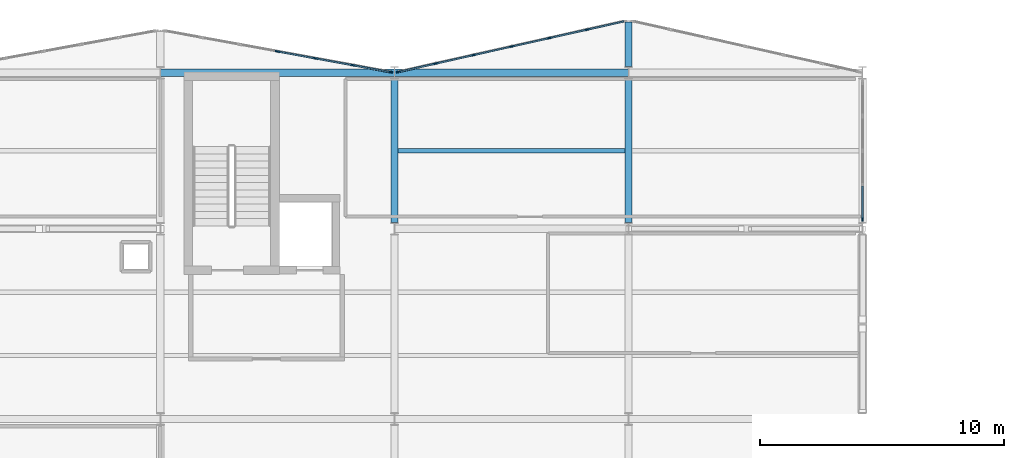
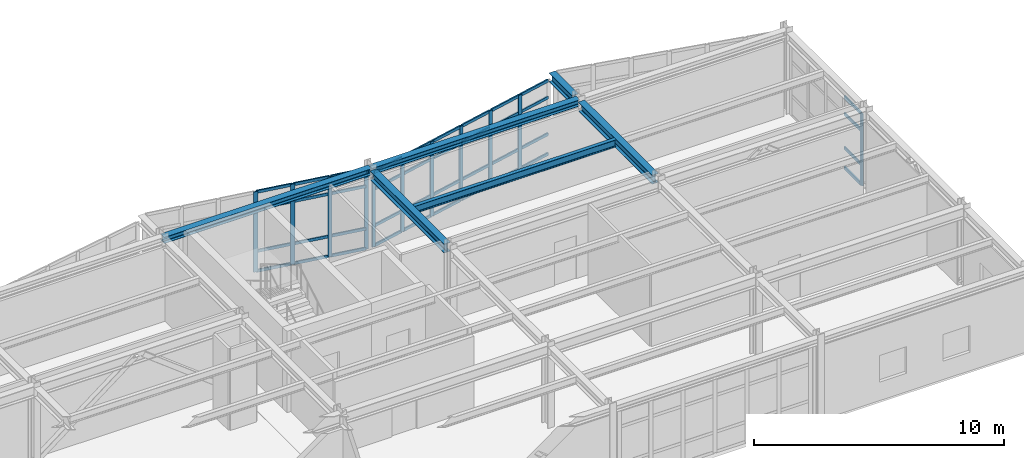
# One storey, part 44 of 88: 51 members, 6 beams, 3 elements without a shape of their own.
"""IFC4 building model written with IfcOpenShell, lengths in metres."""

import ifcopenshell
import ifcopenshell.guid

model = None  # the IFC model being written
_history = None  # IfcOwnerHistory: only IFC2X3 demands one
_inside = {}  # id of a spatial element -> (the spatial element, [elements in it])
_under = {}  # id of a project, library or spatial element -> (it, [spatial elements below it])
_declared = {}  # id of a project -> (the project, [libraries it declares])
_typed = {}  # id of a type object -> (the type object, [elements of that type])
_made_of = {}  # id of a material, layer set ... -> (it, [elements and type objects made of it])


def new_model(schema):
    """Start an empty IFC model of exactly this schema.

    Asked for "IFC4X3", IfcOpenShell would pick the latest addendum, in which some entities
    have other attributes; the version numbers below select the first issue.
    IFC2X3 requires an IfcOwnerHistory on every rooted entity: one is made here for all.
    """
    global model, _history
    if schema == "IFC4X3":
        model = ifcopenshell.file(schema_version=(4, 3, 0, 0))
    else:
        model = ifcopenshell.file(schema=schema)
    _inside.clear()
    _under.clear()
    _declared.clear()
    _typed.clear()
    _made_of.clear()
    _history = None
    if model.schema == "IFC2X3":
        org = make("IfcOrganization", Name="unknown")
        user = make(
            "IfcPersonAndOrganization",
            ThePerson=make("IfcPerson", FamilyName="unknown"),
            TheOrganization=org,
        )
        app = make(
            "IfcApplication",
            ApplicationDeveloper=org,
            Version="unknown",
            ApplicationFullName="unknown",
            ApplicationIdentifier="unknown",
        )
        _history = make(
            "IfcOwnerHistory",
            OwningUser=user,
            OwningApplication=app,
            ChangeAction="ADDED",
            CreationDate=0,
        )
    return model


def make(cls, **values):
    """One entity of the class cls with the attributes given. An attribute that is None is left unset."""
    return model.create_entity(
        cls, **{name: value for name, value in values.items() if value is not None}
    )


def rooted(cls, **values):
    """An entity with a GlobalId (a new one), such as an element, a storey or a relation."""
    return make(cls, GlobalId=ifcopenshell.guid.new(), OwnerHistory=_history, **values)


def si_unit(unit_type, name, prefix=None):
    """IfcSIUnit, for example si_unit("LENGTHUNIT", "METRE", prefix="MILLI")."""
    return make("IfcSIUnit", UnitType=unit_type, Prefix=prefix, Name=name)


def assignment(units):
    """IfcUnitAssignment: the units of a project."""
    return None if units is None else make("IfcUnitAssignment", Units=units)


def point(xyz):
    """IfcCartesianPoint."""
    return None if xyz is None else make("IfcCartesianPoint", Coordinates=xyz)


def direction(xyz):
    """IfcDirection."""
    return None if xyz is None else make("IfcDirection", DirectionRatios=xyz)


def frame(location, z_axis=None, x_axis=None):
    """IfcAxis2Placement3D, a coordinate frame: its origin and axes. An axis left out is left unset."""
    return make(
        "IfcAxis2Placement3D",
        Location=point(location),
        Axis=direction(z_axis),
        RefDirection=direction(x_axis),
    )


def frame_2d(location, x_axis=None):
    """IfcAxis2Placement2D, a coordinate frame in the plane: its origin and x axis."""
    return make(
        "IfcAxis2Placement2D", Location=point(location), RefDirection=direction(x_axis)
    )


def origin():
    """The frame at (0, 0, 0) with its axes left unset."""
    return frame((0.0, 0.0, 0.0))


def origin_2d():
    """The frame at (0, 0) in the plane with its x axis left unset."""
    return frame_2d((0.0, 0.0))


def place(relative_to, where):
    """IfcLocalPlacement: puts the frame where relative to a parent placement (None: the world)."""
    return make(
        "IfcLocalPlacement", PlacementRelTo=relative_to, RelativePlacement=where
    )


def context(
    kind, dimensions, precision=None, world=None, true_north=None, identifier=None
):
    """IfcGeometricRepresentationContext, for example the 3D "Model" context."""
    return make(
        "IfcGeometricRepresentationContext",
        ContextIdentifier=identifier,
        ContextType=kind,
        CoordinateSpaceDimension=dimensions,
        Precision=precision,
        WorldCoordinateSystem=world,
        TrueNorth=true_north,
    )


def subcontext(parent, identifier, kind, view, scale=None):
    """IfcGeometricRepresentationSubContext, for example "Body" below "Model"."""
    return make(
        "IfcGeometricRepresentationSubContext",
        ContextIdentifier=identifier,
        ContextType=kind,
        ParentContext=parent,
        TargetScale=scale,
        TargetView=view,
    )


def project(units=None, contexts=None):
    """IfcProject with its units and contexts."""
    return rooted(
        "IfcProject",
        Name="project",
        RepresentationContexts=contexts,
        UnitsInContext=assignment(units),
    )


def spatial(cls, under=None, at=None, **own):
    """A site, building, storey or space (cls), placed at a placement, below another one or the project."""
    s = rooted(cls, ObjectPlacement=at, **own)
    if under is not None:
        _under.setdefault(under.id(), (under, []))[1].append(s)
    return s


def profile(cls, at=None, kind="AREA", **sizes):
    """A parametric profile (cls). Its sizes go by their IFC names, for example OverallWidth=200.0."""
    return make(cls, ProfileType=kind, Position=at, **sizes)


def rectangle(**sizes):
    """IfcRectangleProfileDef."""
    return profile("IfcRectangleProfileDef", **sizes)


def i_section(**sizes):
    """IfcIShapeProfileDef."""
    return profile("IfcIShapeProfileDef", **sizes)


def extrude(swept, where, along, depth):
    """IfcExtrudedAreaSolid: the profile swept, set in the frame where, extruded along a direction by depth."""
    return make(
        "IfcExtrudedAreaSolid",
        SweptArea=swept,
        Position=where,
        ExtrudedDirection=direction(along),
        Depth=depth,
    )


def shape(context_of_items, identifier, shape_type, items):
    """IfcShapeRepresentation: the items that make up one representation, for example the "Body"."""
    return make(
        "IfcShapeRepresentation",
        ContextOfItems=context_of_items,
        RepresentationIdentifier=identifier,
        RepresentationType=shape_type,
        Items=items,
    )


def material(Name=None, Category=None):
    """IfcMaterial."""
    return make("IfcMaterial", Name=Name, Category=Category)


def layer(
    of_material, thickness, ventilated=None, Name=None, Category=None, Priority=None
):
    """IfcMaterialLayer: one layer of a wall or slab, of a material (None: an air gap)."""
    return make(
        "IfcMaterialLayer",
        Material=of_material,
        LayerThickness=thickness,
        IsVentilated=ventilated,
        Name=Name,
        Category=Category,
        Priority=Priority,
    )


def layer_set(layers, Name=None):
    """IfcMaterialLayerSet."""
    return make("IfcMaterialLayerSet", MaterialLayers=layers, LayerSetName=Name)


def material_profile(
    of_material, cross_section, Name=None, Category=None, Priority=None
):
    """IfcMaterialProfile: a cross section and its material."""
    return make(
        "IfcMaterialProfile",
        Name=Name,
        Material=of_material,
        Profile=cross_section,
        Priority=Priority,
        Category=Category,
    )


def profile_set(profiles, Name=None, composite=None):
    """IfcMaterialProfileSet."""
    return make(
        "IfcMaterialProfileSet",
        Name=Name,
        MaterialProfiles=profiles,
        CompositeProfile=composite,
    )


def made_of(thing, what):
    """Note that an element or type object is made of a material, layer set ...; save() writes the relation."""
    if what is not None:
        _made_of.setdefault(what.id(), (what, []))[1].append(thing)
    return thing


def type_object(cls, material=None, **own):
    """A type object (cls), such as IfcWallType, which elements share."""
    return made_of(rooted(cls, **own), material)


def element(
    cls,
    number,
    at=None,
    inside=None,
    cuts=None,
    type_object=None,
    material=None,
    context=None,
    identifier="Body",
    shape_type=None,
    held_by="IfcProductDefinitionShape",
    body=None,
    shapes=None,
    **own,
):
    """One element of the class cls, such as IfcWall. Its Tag is "e" and its number.

    at: its placement. inside: the storey or other place that contains it. cuts: it is an
    opening in that element (IfcRelVoidsElement). A single representation is given by context,
    identifier, shape_type and body (its items); several are given by shapes. held_by: the class
    of the entity that holds the representations. save() writes the other relations.
    """
    e = rooted(cls, Tag="e%d" % number, ObjectPlacement=at, **own)
    if body is not None:
        shapes = [shape(context, identifier, shape_type, body)]
    if shapes is not None:
        e.Representation = make(held_by, Representations=shapes)
    if inside is not None:
        _inside.setdefault(inside.id(), (inside, []))[1].append(e)
    if cuts is not None:
        rooted(
            "IfcRelVoidsElement", RelatingBuildingElement=cuts, RelatedOpeningElement=e
        )
    if type_object is not None:
        _typed.setdefault(type_object.id(), (type_object, []))[1].append(e)
    return made_of(e, material)


def aggregate(whole, parts):
    """IfcRelAggregates: a whole, such as a stair, and the parts it consists of."""
    return rooted("IfcRelAggregates", RelatingObject=whole, RelatedObjects=parts)


def save(model, path):
    """Write the relations noted so far, then the file.

    IfcRelAggregates (storeys below a building ...), IfcRelContainedInSpatialStructure (elements
    in a storey), IfcRelDefinesByType, IfcRelAssociatesMaterial and IfcRelDeclares: one each for
    every whole, place, type object, material and project.
    """
    for whole, parts in _under.values():
        aggregate(whole, parts)
    for where, things in _inside.values():
        rooted(
            "IfcRelContainedInSpatialStructure",
            RelatedElements=things,
            RelatingStructure=where,
        )
    for kind, things in _typed.values():
        rooted("IfcRelDefinesByType", RelatedObjects=things, RelatingType=kind)
    for what, things in _made_of.values():
        rooted("IfcRelAssociatesMaterial", RelatedObjects=things, RelatingMaterial=what)
    for by, libraries in _declared.values():
        rooted("IfcRelDeclares", RelatingContext=by, RelatedDefinitions=libraries)
    model.write(path)


model = new_model("IFC4")

# Units and contexts
model_context = context("Model", 3, precision=1e-05, world=origin(), true_north=direction((0.0, 1.0)))
body_context = subcontext(model_context, "Body", "Model", "MODEL_VIEW")
ifc_project = project(units=[si_unit("LENGTHUNIT", "METRE"), si_unit("AREAUNIT", "SQUARE_METRE"), si_unit("VOLUMEUNIT", "CUBIC_METRE"), si_unit("PLANEANGLEUNIT", "RADIAN"), si_unit("MASSUNIT", "GRAM", prefix="KILO")], contexts=[model_context])

# Site, building, storey
site_placement = place(None, origin())
site = spatial("IfcSite", under=ifc_project, at=site_placement, CompositionType="ELEMENT")
building_placement = place(site_placement, origin())
building = spatial("IfcBuilding", under=site, at=building_placement, Name="Nordkorset Police Headquarters", CompositionType="ELEMENT")
storey_placement = place(building_placement, frame((0.0, 0.0, 9.449951171875)))
storey = spatial("IfcBuildingStorey", under=building, at=storey_placement, Name="L02", CompositionType="ELEMENT", Elevation=9.449951171875)

# Beam
ifc_material_1 = material(Name="Steel S355J2", Category="steel")
ifc_material_profile_1 = material_profile(ifc_material_1, i_section(OverallWidth=0.169921875, OverallDepth=0.360107421875, WebThickness=0.008056640625, FlangeThickness=0.0126953125, FilletRadius=0.01806640625, at=origin_2d()), Name="IPE 360")
ifc_profile_set_1 = profile_set([ifc_material_profile_1], Name="Steel S355J2")
beam_type_1 = type_object("IfcBeamType", Name="Beam_IPE_360", PredefinedType="BEAM", material=ifc_profile_set_1)
beam_1_placement = place(storey_placement, frame((67.35009765625, 113.60009765625, 3.7900390625), z_axis=(1.0, 0.0, 0.0), x_axis=(0.0, 1.0, 0.0)))
element("IfcBeam", 1, at=beam_1_placement, inside=storey, type_object=beam_type_1, Name="Composite Floor Beam V2 L02 4-2-1", PredefinedType="BEAM", context=body_context, shape_type="SweptSolid", body=[
    extrude(i_section(OverallWidth=0.169921875, OverallDepth=0.360107421875, WebThickness=0.008056640625, FlangeThickness=0.0126953125, FilletRadius=0.01806640625, at=origin_2d()), origin(), (0.0, 0.0, 1.0), 9.2998046875),
])

# Curtain wall, members
ifc_material_2 = material(Name="Aluminium alloy AW-6060", Category="aluminium")
ifc_layer_1 = layer(ifc_material_2, 0.179931640625, Name="Aluminium alloy AW-6060")
ifc_layer_set_1 = layer_set([ifc_layer_1], Name="Aluminium alloy AW-6060")
curtain_wall_type_1 = type_object("IfcCurtainWallType", Name="CW_Unit_948x392", PredefinedType="USERDEFINED", material=ifc_layer_set_1)
curtain_wall_1_placement = place(storey_placement, origin())
curtain_wall_1 = element("IfcCurtainWall", 2, at=curtain_wall_1_placement, inside=storey, type_object=curtain_wall_type_1, Name="Unitised Curtain Wall L02 V2N-3", ObjectType="UNITISED CURTAIN WALL", PredefinedType="USERDEFINED")
ifc_material_3 = material(Name="Aluminium alloy AW-6060", Category="aluminium")
ifc_material_profile_2 = material_profile(ifc_material_3, rectangle(XDim=0.06494140625, YDim=0.179931640625, at=origin_2d()), Name="ALU MULL 65x180")
ifc_profile_set_2 = profile_set([ifc_material_profile_2], Name="Aluminium alloy AW-6060")
member_type_1 = type_object("IfcMemberType", Name="CW_Mullion_65x180", PredefinedType="MULLION", material=ifc_profile_set_2)
member_1_placement = place(storey_placement, frame((62.39990234375, 117.675048828125, 0.0), z_axis=(0.0, 0.0, 1.0), x_axis=(0.179335715876, 0.983787934979, 0.0)))
member_1 = element("IfcMember", 3, at=member_1_placement, type_object=member_type_1, Name="CW-65 mullion 4", PredefinedType="MULLION", context=body_context, shape_type="SweptSolid", body=[
    extrude(rectangle(XDim=0.06494140625, YDim=0.179931640625, at=origin_2d()), origin(), (0.0, 0.0, 1.0), 3.920166015625),
])
member_2_placement = place(storey_placement, frame((63.9541015625, 117.3916015625, 0.0), z_axis=(0.0, 0.0, 1.0), x_axis=(0.179335715876, 0.983787934979, 0.0)))
member_2 = element("IfcMember", 4, at=member_2_placement, type_object=member_type_1, Name="CW-65 mullion 5", PredefinedType="MULLION", context=body_context, shape_type="SweptSolid", body=[
    extrude(rectangle(XDim=0.06494140625, YDim=0.179931640625, at=origin_2d()), origin(), (0.0, 0.0, 1.0), 3.920166015625),
])
member_3_placement = place(storey_placement, frame((65.50830078125, 117.1083984375, 0.0), z_axis=(0.0, 0.0, 1.0), x_axis=(0.179335715876, 0.983787934979, 0.0)))
member_3 = element("IfcMember", 5, at=member_3_placement, type_object=member_type_1, Name="CW-65 mullion 6", PredefinedType="MULLION", context=body_context, shape_type="SweptSolid", body=[
    extrude(rectangle(XDim=0.06494140625, YDim=0.179931640625, at=origin_2d()), origin(), (0.0, 0.0, 1.0), 3.920166015625),
])
member_4_placement = place(storey_placement, frame((67.0302734375, 116.8310546875, 0.0), z_axis=(0.0, 0.0, 1.0), x_axis=(0.179335715876, 0.983787934979, 0.0)))
member_4 = element("IfcMember", 6, at=member_4_placement, type_object=member_type_1, Name="CW-65 mullion 7", PredefinedType="MULLION", context=body_context, shape_type="SweptSolid", body=[
    extrude(rectangle(XDim=0.06494140625, YDim=0.179931640625, at=origin_2d()), origin(), (0.0, 0.0, 1.0), 3.920166015625),
])

ifc_material_4 = material(Name="Aluminium alloy AW-6060", Category="aluminium")
ifc_layer_2 = layer(ifc_material_4, 0.179931640625, Name="Aluminium alloy AW-6060")
ifc_layer_set_2 = layer_set([ifc_layer_2], Name="Aluminium alloy AW-6060")
curtain_wall_type_2 = type_object("IfcCurtainWallType", Name="CW_Unit_956x364", PredefinedType="USERDEFINED", material=ifc_layer_set_2)
curtain_wall_2_placement = place(storey_placement, origin())
curtain_wall_2 = element("IfcCurtainWall", 7, at=curtain_wall_2_placement, inside=storey, type_object=curtain_wall_type_2, Name="Unitised Curtain Wall L02 V2N-4", ObjectType="UNITISED CURTAIN WALL", PredefinedType="USERDEFINED")
member_5_placement = place(storey_placement, frame((67.368408203125, 116.837646484375, 0.0), z_axis=(0.0, 0.0, 1.0), x_axis=(-0.218544020358, 0.975827090814, 0.0)))
member_5 = element("IfcMember", 8, at=member_5_placement, type_object=member_type_1, Name="CW-36 mullion 1", PredefinedType="MULLION", context=body_context, shape_type="SweptSolid", body=[
    extrude(rectangle(XDim=0.06494140625, YDim=0.179931640625, at=origin_2d()), origin(), (0.0, 0.0, 1.0), 3.64013671875),
])
member_6_placement = place(storey_placement, frame((68.89111328125, 117.1787109375, 0.0), z_axis=(0.0, 0.0, 1.0), x_axis=(-0.218544020358, 0.975827090814, 0.0)))
member_6 = element("IfcMember", 9, at=member_6_placement, type_object=member_type_1, Name="CW-36 mullion 2", PredefinedType="MULLION", context=body_context, shape_type="SweptSolid", body=[
    extrude(rectangle(XDim=0.06494140625, YDim=0.179931640625, at=origin_2d()), origin(), (0.0, 0.0, 1.0), 3.64013671875),
])
member_7_placement = place(storey_placement, frame((70.445556640625, 117.52685546875, 0.0), z_axis=(0.0, 0.0, 1.0), x_axis=(-0.218544020358, 0.975827090814, 0.0)))
member_7 = element("IfcMember", 10, at=member_7_placement, type_object=member_type_1, Name="CW-36 mullion 3", PredefinedType="MULLION", context=body_context, shape_type="SweptSolid", body=[
    extrude(rectangle(XDim=0.06494140625, YDim=0.179931640625, at=origin_2d()), origin(), (0.0, 0.0, 1.0), 3.64013671875),
])
member_8_placement = place(storey_placement, frame((72.0, 117.875, 0.0), z_axis=(0.0, 0.0, 1.0), x_axis=(-0.218544020358, 0.975827090814, 0.0)))
member_8 = element("IfcMember", 11, at=member_8_placement, type_object=member_type_1, Name="CW-36 mullion 4", PredefinedType="MULLION", context=body_context, shape_type="SweptSolid", body=[
    extrude(rectangle(XDim=0.06494140625, YDim=0.179931640625, at=origin_2d()), origin(), (0.0, 0.0, 1.0), 3.64013671875),
])
member_9_placement = place(storey_placement, frame((73.554443359375, 118.22314453125, 0.0), z_axis=(0.0, 0.0, 1.0), x_axis=(-0.218544020358, 0.975827090814, 0.0)))
member_9 = element("IfcMember", 12, at=member_9_placement, type_object=member_type_1, Name="CW-36 mullion 5", PredefinedType="MULLION", context=body_context, shape_type="SweptSolid", body=[
    extrude(rectangle(XDim=0.06494140625, YDim=0.179931640625, at=origin_2d()), origin(), (0.0, 0.0, 1.0), 3.64013671875),
])
member_10_placement = place(storey_placement, frame((75.10888671875, 118.5712890625, 0.0), z_axis=(0.0, 0.0, 1.0), x_axis=(-0.218544020358, 0.975827090814, 0.0)))
member_10 = element("IfcMember", 13, at=member_10_placement, type_object=member_type_1, Name="CW-36 mullion 6", PredefinedType="MULLION", context=body_context, shape_type="SweptSolid", body=[
    extrude(rectangle(XDim=0.06494140625, YDim=0.179931640625, at=origin_2d()), origin(), (0.0, 0.0, 1.0), 3.64013671875),
])

# Curtain wall, member
ifc_material_5 = material(Name="Aluminium alloy AW-6060", Category="aluminium")
ifc_layer_3 = layer(ifc_material_5, 0.179931640625, Name="Aluminium alloy AW-6060")
ifc_layer_set_3 = layer_set([ifc_layer_3], Name="Aluminium alloy AW-6060")
curtain_wall_type_3 = type_object("IfcCurtainWallType", Name="CW_Unit_568x351", PredefinedType="USERDEFINED", material=ifc_layer_set_3)
curtain_wall_3_placement = place(storey_placement, origin())
curtain_wall_3 = element("IfcCurtainWall", 14, at=curtain_wall_3_placement, inside=storey, type_object=curtain_wall_type_3, Name="Unitised Curtain Wall L02 V2E-1", ObjectType="UNITISED CURTAIN WALL", PredefinedType="USERDEFINED")
member_11_placement = place(storey_placement, frame((86.39990234375, 110.79248046875, 0.0), z_axis=(0.0, 0.0, 1.0), x_axis=(-1.0, 0.0, 0.0)))
member_11 = element("IfcMember", 15, at=member_11_placement, type_object=member_type_1, Name="CW-57 mullion 1", PredefinedType="MULLION", context=body_context, shape_type="SweptSolid", body=[
    extrude(rectangle(XDim=0.06494140625, YDim=0.179931640625, at=origin_2d()), origin(), (0.0, 0.0, 1.0), 3.510009765625),
])

# Member
ifc_material_6 = material(Name="Aluminium alloy AW-6060", Category="aluminium")
ifc_material_profile_3 = material_profile(ifc_material_6, rectangle(XDim=0.06494140625, YDim=0.139892578125, at=origin_2d()), Name="ALU TRAN 65x140")
ifc_profile_set_3 = profile_set([ifc_material_profile_3], Name="Aluminium alloy AW-6060")
member_type_2 = type_object("IfcMemberType", Name="CW_Transom_65x140", PredefinedType="USERDEFINED", material=ifc_profile_set_3)
member_12_placement = place(storey_placement, frame((62.431884765625, 117.669189453125, 0.032470703125), z_axis=(0.983779529869, -0.179381817946, 0.0), x_axis=(0.179381817946, 0.983779529869, 0.0)))
member_12 = element("IfcMember", 16, at=member_12_placement, type_object=member_type_2, Name="CW-65 transom 4.1", ObjectType="TRANSOM", PredefinedType="USERDEFINED", context=body_context, shape_type="SweptSolid", body=[
    extrude(rectangle(XDim=0.06494140625, YDim=0.139892578125, at=origin_2d()), origin(), (0.0, 0.0, 1.0), 1.514892578125),
])

member_13_placement = place(storey_placement, frame((62.431884765625, 117.669189453125, 1.0), z_axis=(0.983779529869, -0.179381817946, 0.0), x_axis=(0.179381817946, 0.983779529869, 0.0)))
member_13 = element("IfcMember", 17, at=member_13_placement, type_object=member_type_2, Name="CW-65 transom 4.2", ObjectType="TRANSOM", PredefinedType="USERDEFINED", context=body_context, shape_type="SweptSolid", body=[
    extrude(rectangle(XDim=0.06494140625, YDim=0.139892578125, at=origin_2d()), origin(), (0.0, 0.0, 1.0), 1.514892578125),
])

member_14_placement = place(storey_placement, frame((62.431884765625, 117.669189453125, 3.070068359375), z_axis=(0.983779529869, -0.179381817946, 0.0), x_axis=(0.179381817946, 0.983779529869, 0.0)))
member_14 = element("IfcMember", 18, at=member_14_placement, type_object=member_type_2, Name="CW-65 transom 4.3", ObjectType="TRANSOM", PredefinedType="USERDEFINED", context=body_context, shape_type="SweptSolid", body=[
    extrude(rectangle(XDim=0.06494140625, YDim=0.139892578125, at=origin_2d()), origin(), (0.0, 0.0, 1.0), 1.514892578125),
])

member_15_placement = place(storey_placement, frame((62.431884765625, 117.669189453125, 3.887451171875), z_axis=(0.983779529869, -0.179381817946, 0.0), x_axis=(0.179381817946, 0.983779529869, 0.0)))
member_15 = element("IfcMember", 19, at=member_15_placement, type_object=member_type_2, Name="CW-65 transom 4.4", ObjectType="TRANSOM", PredefinedType="USERDEFINED", context=body_context, shape_type="SweptSolid", body=[
    extrude(rectangle(XDim=0.06494140625, YDim=0.139892578125, at=origin_2d()), origin(), (0.0, 0.0, 1.0), 1.514892578125),
])

member_16_placement = place(storey_placement, frame((63.986083984375, 117.385986328125, 0.032470703125), z_axis=(0.983779529869, -0.179381817946, 0.0), x_axis=(0.179381817946, 0.983779529869, 0.0)))
member_16 = element("IfcMember", 20, at=member_16_placement, type_object=member_type_2, Name="CW-65 transom 5.1", ObjectType="TRANSOM", PredefinedType="USERDEFINED", context=body_context, shape_type="SweptSolid", body=[
    extrude(rectangle(XDim=0.06494140625, YDim=0.139892578125, at=origin_2d()), origin(), (0.0, 0.0, 1.0), 1.514892578125),
])

member_17_placement = place(storey_placement, frame((63.986083984375, 117.385986328125, 1.0), z_axis=(0.983779529869, -0.179381817946, 0.0), x_axis=(0.179381817946, 0.983779529869, 0.0)))
member_17 = element("IfcMember", 21, at=member_17_placement, type_object=member_type_2, Name="CW-65 transom 5.2", ObjectType="TRANSOM", PredefinedType="USERDEFINED", context=body_context, shape_type="SweptSolid", body=[
    extrude(rectangle(XDim=0.06494140625, YDim=0.139892578125, at=origin_2d()), origin(), (0.0, 0.0, 1.0), 1.514892578125),
])

member_18_placement = place(storey_placement, frame((63.986083984375, 117.385986328125, 3.070068359375), z_axis=(0.983779529869, -0.179381817946, 0.0), x_axis=(0.179381817946, 0.983779529869, 0.0)))
member_18 = element("IfcMember", 22, at=member_18_placement, type_object=member_type_2, Name="CW-65 transom 5.3", ObjectType="TRANSOM", PredefinedType="USERDEFINED", context=body_context, shape_type="SweptSolid", body=[
    extrude(rectangle(XDim=0.06494140625, YDim=0.139892578125, at=origin_2d()), origin(), (0.0, 0.0, 1.0), 1.514892578125),
])

member_19_placement = place(storey_placement, frame((63.986083984375, 117.385986328125, 3.887451171875), z_axis=(0.983779529869, -0.179381817946, 0.0), x_axis=(0.179381817946, 0.983779529869, 0.0)))
member_19 = element("IfcMember", 23, at=member_19_placement, type_object=member_type_2, Name="CW-65 transom 5.4", ObjectType="TRANSOM", PredefinedType="USERDEFINED", context=body_context, shape_type="SweptSolid", body=[
    extrude(rectangle(XDim=0.06494140625, YDim=0.139892578125, at=origin_2d()), origin(), (0.0, 0.0, 1.0), 1.514892578125),
])

member_20_placement = place(storey_placement, frame((65.5400390625, 117.1025390625, 0.032470703125), z_axis=(0.98378282961, -0.179363720316, 0.0), x_axis=(0.179363720316, 0.98378282961, 0.0)))
member_20 = element("IfcMember", 24, at=member_20_placement, type_object=member_type_2, Name="CW-65 transom 6.1", ObjectType="TRANSOM", PredefinedType="USERDEFINED", context=body_context, shape_type="SweptSolid", body=[
    extrude(rectangle(XDim=0.06494140625, YDim=0.139892578125, at=origin_2d()), origin(), (0.0, 0.0, 1.0), 1.482177734375),
])

member_21_placement = place(storey_placement, frame((65.5400390625, 117.1025390625, 1.0), z_axis=(0.98378282961, -0.179363720316, 0.0), x_axis=(0.179363720316, 0.98378282961, 0.0)))
member_21 = element("IfcMember", 25, at=member_21_placement, type_object=member_type_2, Name="CW-65 transom 6.2", ObjectType="TRANSOM", PredefinedType="USERDEFINED", context=body_context, shape_type="SweptSolid", body=[
    extrude(rectangle(XDim=0.06494140625, YDim=0.139892578125, at=origin_2d()), origin(), (0.0, 0.0, 1.0), 1.482177734375),
])

member_22_placement = place(storey_placement, frame((65.5400390625, 117.1025390625, 3.070068359375), z_axis=(0.98378282961, -0.179363720316, 0.0), x_axis=(0.179363720316, 0.98378282961, 0.0)))
member_22 = element("IfcMember", 26, at=member_22_placement, type_object=member_type_2, Name="CW-65 transom 6.3", ObjectType="TRANSOM", PredefinedType="USERDEFINED", context=body_context, shape_type="SweptSolid", body=[
    extrude(rectangle(XDim=0.06494140625, YDim=0.139892578125, at=origin_2d()), origin(), (0.0, 0.0, 1.0), 1.482177734375),
])

member_23_placement = place(storey_placement, frame((65.5400390625, 117.1025390625, 3.887451171875), z_axis=(0.98378282961, -0.179363720316, 0.0), x_axis=(0.179363720316, 0.98378282961, 0.0)))
member_23 = element("IfcMember", 27, at=member_23_placement, type_object=member_type_2, Name="CW-65 transom 6.4", ObjectType="TRANSOM", PredefinedType="USERDEFINED", context=body_context, shape_type="SweptSolid", body=[
    extrude(rectangle(XDim=0.06494140625, YDim=0.139892578125, at=origin_2d()), origin(), (0.0, 0.0, 1.0), 1.482177734375),
])

aggregate(curtain_wall_1, [member_1, member_2, member_3, member_4, member_12, member_13, member_14, member_15, member_16, member_17, member_18, member_19, member_20, member_21, member_22, member_23])

member_24_placement = place(storey_placement, frame((67.400146484375, 116.8447265625, 0.032470703125), z_axis=(0.975813000089, 0.218606927743, 0.0), x_axis=(-0.218606927743, 0.975813000089, 0.0)))
member_24 = element("IfcMember", 28, at=member_24_placement, type_object=member_type_2, Name="CW-36 transom 1.1", ObjectType="TRANSOM", PredefinedType="USERDEFINED", context=body_context, shape_type="SweptSolid", body=[
    extrude(rectangle(XDim=0.06494140625, YDim=0.139892578125, at=origin_2d()), origin(), (0.0, 0.0, 1.0), 1.495361328125),
])

member_25_placement = place(storey_placement, frame((67.400146484375, 116.8447265625, 1.0), z_axis=(0.975813000089, 0.218606927743, 0.0), x_axis=(-0.218606927743, 0.975813000089, 0.0)))
member_25 = element("IfcMember", 29, at=member_25_placement, type_object=member_type_2, Name="CW-36 transom 1.2", ObjectType="TRANSOM", PredefinedType="USERDEFINED", context=body_context, shape_type="SweptSolid", body=[
    extrude(rectangle(XDim=0.06494140625, YDim=0.139892578125, at=origin_2d()), origin(), (0.0, 0.0, 1.0), 1.495361328125),
])

member_26_placement = place(storey_placement, frame((67.400146484375, 116.8447265625, 2.7900390625), z_axis=(0.975813000089, 0.218606927743, 0.0), x_axis=(-0.218606927743, 0.975813000089, 0.0)))
member_26 = element("IfcMember", 30, at=member_26_placement, type_object=member_type_2, Name="CW-36 transom 1.3", ObjectType="TRANSOM", PredefinedType="USERDEFINED", context=body_context, shape_type="SweptSolid", body=[
    extrude(rectangle(XDim=0.06494140625, YDim=0.139892578125, at=origin_2d()), origin(), (0.0, 0.0, 1.0), 1.495361328125),
])

member_27_placement = place(storey_placement, frame((67.400146484375, 116.8447265625, 3.607666015625), z_axis=(0.975813000089, 0.218606927743, 0.0), x_axis=(-0.218606927743, 0.975813000089, 0.0)))
member_27 = element("IfcMember", 31, at=member_27_placement, type_object=member_type_2, Name="CW-36 transom 1.4", ObjectType="TRANSOM", PredefinedType="USERDEFINED", context=body_context, shape_type="SweptSolid", body=[
    extrude(rectangle(XDim=0.06494140625, YDim=0.139892578125, at=origin_2d()), origin(), (0.0, 0.0, 1.0), 1.495361328125),
])

member_28_placement = place(storey_placement, frame((68.9228515625, 117.185791015625, 0.032470703125), z_axis=(0.975817202869, 0.218588166616, 0.0), x_axis=(-0.218588166616, 0.975817202869, 0.0)))
member_28 = element("IfcMember", 32, at=member_28_placement, type_object=member_type_2, Name="CW-36 transom 2.1", ObjectType="TRANSOM", PredefinedType="USERDEFINED", context=body_context, shape_type="SweptSolid", body=[
    extrude(rectangle(XDim=0.06494140625, YDim=0.139892578125, at=origin_2d()), origin(), (0.0, 0.0, 1.0), 1.52783203125),
])

member_29_placement = place(storey_placement, frame((68.9228515625, 117.185791015625, 1.0), z_axis=(0.975817202869, 0.218588166616, 0.0), x_axis=(-0.218588166616, 0.975817202869, 0.0)))
member_29 = element("IfcMember", 33, at=member_29_placement, type_object=member_type_2, Name="CW-36 transom 2.2", ObjectType="TRANSOM", PredefinedType="USERDEFINED", context=body_context, shape_type="SweptSolid", body=[
    extrude(rectangle(XDim=0.06494140625, YDim=0.139892578125, at=origin_2d()), origin(), (0.0, 0.0, 1.0), 1.52783203125),
])

member_30_placement = place(storey_placement, frame((68.9228515625, 117.185791015625, 2.7900390625), z_axis=(0.975817202869, 0.218588166616, 0.0), x_axis=(-0.218588166616, 0.975817202869, 0.0)))
member_30 = element("IfcMember", 34, at=member_30_placement, type_object=member_type_2, Name="CW-36 transom 2.3", ObjectType="TRANSOM", PredefinedType="USERDEFINED", context=body_context, shape_type="SweptSolid", body=[
    extrude(rectangle(XDim=0.06494140625, YDim=0.139892578125, at=origin_2d()), origin(), (0.0, 0.0, 1.0), 1.52783203125),
])

member_31_placement = place(storey_placement, frame((68.9228515625, 117.185791015625, 3.607666015625), z_axis=(0.975817202869, 0.218588166616, 0.0), x_axis=(-0.218588166616, 0.975817202869, 0.0)))
member_31 = element("IfcMember", 35, at=member_31_placement, type_object=member_type_2, Name="CW-36 transom 2.4", ObjectType="TRANSOM", PredefinedType="USERDEFINED", context=body_context, shape_type="SweptSolid", body=[
    extrude(rectangle(XDim=0.06494140625, YDim=0.139892578125, at=origin_2d()), origin(), (0.0, 0.0, 1.0), 1.52783203125),
])

member_32_placement = place(storey_placement, frame((70.477294921875, 117.533935546875, 0.032470703125), z_axis=(0.975817202869, 0.218588166616, 0.0), x_axis=(-0.218588166616, 0.975817202869, 0.0)))
member_32 = element("IfcMember", 36, at=member_32_placement, type_object=member_type_2, Name="CW-36 transom 3.1", ObjectType="TRANSOM", PredefinedType="USERDEFINED", context=body_context, shape_type="SweptSolid", body=[
    extrude(rectangle(XDim=0.06494140625, YDim=0.139892578125, at=origin_2d()), origin(), (0.0, 0.0, 1.0), 1.52783203125),
])

member_33_placement = place(storey_placement, frame((70.477294921875, 117.533935546875, 1.0), z_axis=(0.975817202869, 0.218588166616, 0.0), x_axis=(-0.218588166616, 0.975817202869, 0.0)))
member_33 = element("IfcMember", 37, at=member_33_placement, type_object=member_type_2, Name="CW-36 transom 3.2", ObjectType="TRANSOM", PredefinedType="USERDEFINED", context=body_context, shape_type="SweptSolid", body=[
    extrude(rectangle(XDim=0.06494140625, YDim=0.139892578125, at=origin_2d()), origin(), (0.0, 0.0, 1.0), 1.52783203125),
])

member_34_placement = place(storey_placement, frame((70.477294921875, 117.533935546875, 2.7900390625), z_axis=(0.975817202869, 0.218588166616, 0.0), x_axis=(-0.218588166616, 0.975817202869, 0.0)))
member_34 = element("IfcMember", 38, at=member_34_placement, type_object=member_type_2, Name="CW-36 transom 3.3", ObjectType="TRANSOM", PredefinedType="USERDEFINED", context=body_context, shape_type="SweptSolid", body=[
    extrude(rectangle(XDim=0.06494140625, YDim=0.139892578125, at=origin_2d()), origin(), (0.0, 0.0, 1.0), 1.52783203125),
])

member_35_placement = place(storey_placement, frame((70.477294921875, 117.533935546875, 3.607666015625), z_axis=(0.975817202869, 0.218588166616, 0.0), x_axis=(-0.218588166616, 0.975817202869, 0.0)))
member_35 = element("IfcMember", 39, at=member_35_placement, type_object=member_type_2, Name="CW-36 transom 3.4", ObjectType="TRANSOM", PredefinedType="USERDEFINED", context=body_context, shape_type="SweptSolid", body=[
    extrude(rectangle(XDim=0.06494140625, YDim=0.139892578125, at=origin_2d()), origin(), (0.0, 0.0, 1.0), 1.52783203125),
])

member_36_placement = place(storey_placement, frame((72.03173828125, 117.882080078125, 0.032470703125), z_axis=(0.975817202869, 0.218588166616, 0.0), x_axis=(-0.218588166616, 0.975817202869, 0.0)))
member_36 = element("IfcMember", 40, at=member_36_placement, type_object=member_type_2, Name="CW-36 transom 4.1", ObjectType="TRANSOM", PredefinedType="USERDEFINED", context=body_context, shape_type="SweptSolid", body=[
    extrude(rectangle(XDim=0.06494140625, YDim=0.139892578125, at=origin_2d()), origin(), (0.0, 0.0, 1.0), 1.52783203125),
])

member_37_placement = place(storey_placement, frame((72.03173828125, 117.882080078125, 1.0), z_axis=(0.975817202869, 0.218588166616, 0.0), x_axis=(-0.218588166616, 0.975817202869, 0.0)))
member_37 = element("IfcMember", 41, at=member_37_placement, type_object=member_type_2, Name="CW-36 transom 4.2", ObjectType="TRANSOM", PredefinedType="USERDEFINED", context=body_context, shape_type="SweptSolid", body=[
    extrude(rectangle(XDim=0.06494140625, YDim=0.139892578125, at=origin_2d()), origin(), (0.0, 0.0, 1.0), 1.52783203125),
])

member_38_placement = place(storey_placement, frame((72.03173828125, 117.882080078125, 2.7900390625), z_axis=(0.975817202869, 0.218588166616, 0.0), x_axis=(-0.218588166616, 0.975817202869, 0.0)))
member_38 = element("IfcMember", 42, at=member_38_placement, type_object=member_type_2, Name="CW-36 transom 4.3", ObjectType="TRANSOM", PredefinedType="USERDEFINED", context=body_context, shape_type="SweptSolid", body=[
    extrude(rectangle(XDim=0.06494140625, YDim=0.139892578125, at=origin_2d()), origin(), (0.0, 0.0, 1.0), 1.52783203125),
])

member_39_placement = place(storey_placement, frame((72.03173828125, 117.882080078125, 3.607666015625), z_axis=(0.975817202869, 0.218588166616, 0.0), x_axis=(-0.218588166616, 0.975817202869, 0.0)))
member_39 = element("IfcMember", 43, at=member_39_placement, type_object=member_type_2, Name="CW-36 transom 4.4", ObjectType="TRANSOM", PredefinedType="USERDEFINED", context=body_context, shape_type="SweptSolid", body=[
    extrude(rectangle(XDim=0.06494140625, YDim=0.139892578125, at=origin_2d()), origin(), (0.0, 0.0, 1.0), 1.52783203125),
])

member_40_placement = place(storey_placement, frame((73.586181640625, 118.230224609375, 0.032470703125), z_axis=(0.975817202869, 0.218588166616, 0.0), x_axis=(-0.218588166616, 0.975817202869, 0.0)))
member_40 = element("IfcMember", 44, at=member_40_placement, type_object=member_type_2, Name="CW-36 transom 5.1", ObjectType="TRANSOM", PredefinedType="USERDEFINED", context=body_context, shape_type="SweptSolid", body=[
    extrude(rectangle(XDim=0.06494140625, YDim=0.139892578125, at=origin_2d()), origin(), (0.0, 0.0, 1.0), 1.52783203125),
])

member_41_placement = place(storey_placement, frame((73.586181640625, 118.230224609375, 1.0), z_axis=(0.975817202869, 0.218588166616, 0.0), x_axis=(-0.218588166616, 0.975817202869, 0.0)))
member_41 = element("IfcMember", 45, at=member_41_placement, type_object=member_type_2, Name="CW-36 transom 5.2", ObjectType="TRANSOM", PredefinedType="USERDEFINED", context=body_context, shape_type="SweptSolid", body=[
    extrude(rectangle(XDim=0.06494140625, YDim=0.139892578125, at=origin_2d()), origin(), (0.0, 0.0, 1.0), 1.52783203125),
])

member_42_placement = place(storey_placement, frame((73.586181640625, 118.230224609375, 2.7900390625), z_axis=(0.975817202869, 0.218588166616, 0.0), x_axis=(-0.218588166616, 0.975817202869, 0.0)))
member_42 = element("IfcMember", 46, at=member_42_placement, type_object=member_type_2, Name="CW-36 transom 5.3", ObjectType="TRANSOM", PredefinedType="USERDEFINED", context=body_context, shape_type="SweptSolid", body=[
    extrude(rectangle(XDim=0.06494140625, YDim=0.139892578125, at=origin_2d()), origin(), (0.0, 0.0, 1.0), 1.52783203125),
])

member_43_placement = place(storey_placement, frame((73.586181640625, 118.230224609375, 3.607666015625), z_axis=(0.975817202869, 0.218588166616, 0.0), x_axis=(-0.218588166616, 0.975817202869, 0.0)))
member_43 = element("IfcMember", 47, at=member_43_placement, type_object=member_type_2, Name="CW-36 transom 5.4", ObjectType="TRANSOM", PredefinedType="USERDEFINED", context=body_context, shape_type="SweptSolid", body=[
    extrude(rectangle(XDim=0.06494140625, YDim=0.139892578125, at=origin_2d()), origin(), (0.0, 0.0, 1.0), 1.52783203125),
])

member_44_placement = place(storey_placement, frame((75.140625, 118.578369140625, 0.032470703125), z_axis=(0.975813000089, 0.218606927743, 0.0), x_axis=(-0.218606927743, 0.975813000089, 0.0)))
member_44 = element("IfcMember", 48, at=member_44_placement, type_object=member_type_2, Name="CW-36 transom 6.1", ObjectType="TRANSOM", PredefinedType="USERDEFINED", context=body_context, shape_type="SweptSolid", body=[
    extrude(rectangle(XDim=0.06494140625, YDim=0.139892578125, at=origin_2d()), origin(), (0.0, 0.0, 1.0), 1.495361328125),
])

member_45_placement = place(storey_placement, frame((75.140625, 118.578369140625, 1.0), z_axis=(0.975813000089, 0.218606927743, 0.0), x_axis=(-0.218606927743, 0.975813000089, 0.0)))
member_45 = element("IfcMember", 49, at=member_45_placement, type_object=member_type_2, Name="CW-36 transom 6.2", ObjectType="TRANSOM", PredefinedType="USERDEFINED", context=body_context, shape_type="SweptSolid", body=[
    extrude(rectangle(XDim=0.06494140625, YDim=0.139892578125, at=origin_2d()), origin(), (0.0, 0.0, 1.0), 1.495361328125),
])

member_46_placement = place(storey_placement, frame((75.140625, 118.578369140625, 2.7900390625), z_axis=(0.975813000089, 0.218606927743, 0.0), x_axis=(-0.218606927743, 0.975813000089, 0.0)))
member_46 = element("IfcMember", 50, at=member_46_placement, type_object=member_type_2, Name="CW-36 transom 6.3", ObjectType="TRANSOM", PredefinedType="USERDEFINED", context=body_context, shape_type="SweptSolid", body=[
    extrude(rectangle(XDim=0.06494140625, YDim=0.139892578125, at=origin_2d()), origin(), (0.0, 0.0, 1.0), 1.495361328125),
])

member_47_placement = place(storey_placement, frame((75.140625, 118.578369140625, 3.607666015625), z_axis=(0.975813000089, 0.218606927743, 0.0), x_axis=(-0.218606927743, 0.975813000089, 0.0)))
member_47 = element("IfcMember", 51, at=member_47_placement, type_object=member_type_2, Name="CW-36 transom 6.4", ObjectType="TRANSOM", PredefinedType="USERDEFINED", context=body_context, shape_type="SweptSolid", body=[
    extrude(rectangle(XDim=0.06494140625, YDim=0.139892578125, at=origin_2d()), origin(), (0.0, 0.0, 1.0), 1.495361328125),
])

aggregate(curtain_wall_2, [member_5, member_6, member_7, member_8, member_9, member_10, member_24, member_25, member_26, member_27, member_28, member_29, member_30, member_31, member_32, member_33, member_34, member_35, member_36, member_37, member_38, member_39, member_40, member_41, member_42, member_43, member_44, member_45, member_46, member_47])

member_48_placement = place(storey_placement, frame((86.39990234375, 110.824951171875, 0.032470703125), z_axis=(0.0, 1.0, 0.0), x_axis=(-1.0, 0.0, 0.0)))
member_48 = element("IfcMember", 52, at=member_48_placement, type_object=member_type_2, Name="CW-57 transom 1.1", ObjectType="TRANSOM", PredefinedType="USERDEFINED", context=body_context, shape_type="SweptSolid", body=[
    extrude(rectangle(XDim=0.06494140625, YDim=0.139892578125, at=origin_2d()), origin(), (0.0, 0.0, 1.0), 1.322509765625),
])

member_49_placement = place(storey_placement, frame((86.39990234375, 110.824951171875, 1.0), z_axis=(0.0, 1.0, 0.0), x_axis=(-1.0, 0.0, 0.0)))
member_49 = element("IfcMember", 53, at=member_49_placement, type_object=member_type_2, Name="CW-57 transom 1.2", ObjectType="TRANSOM", PredefinedType="USERDEFINED", context=body_context, shape_type="SweptSolid", body=[
    extrude(rectangle(XDim=0.06494140625, YDim=0.139892578125, at=origin_2d()), origin(), (0.0, 0.0, 1.0), 1.322509765625),
])

member_50_placement = place(storey_placement, frame((86.39990234375, 110.824951171875, 2.66015625), z_axis=(0.0, 1.0, 0.0), x_axis=(-1.0, 0.0, 0.0)))
member_50 = element("IfcMember", 54, at=member_50_placement, type_object=member_type_2, Name="CW-57 transom 1.3", ObjectType="TRANSOM", PredefinedType="USERDEFINED", context=body_context, shape_type="SweptSolid", body=[
    extrude(rectangle(XDim=0.06494140625, YDim=0.139892578125, at=origin_2d()), origin(), (0.0, 0.0, 1.0), 1.322509765625),
])

member_51_placement = place(storey_placement, frame((86.39990234375, 110.824951171875, 3.4775390625), z_axis=(0.0, 1.0, 0.0), x_axis=(-1.0, 0.0, 0.0)))
member_51 = element("IfcMember", 55, at=member_51_placement, type_object=member_type_2, Name="CW-57 transom 1.4", ObjectType="TRANSOM", PredefinedType="USERDEFINED", context=body_context, shape_type="SweptSolid", body=[
    extrude(rectangle(XDim=0.06494140625, YDim=0.139892578125, at=origin_2d()), origin(), (0.0, 0.0, 1.0), 1.322509765625),
])

aggregate(curtain_wall_3, [member_11, member_48, member_49, member_50, member_51])

# Beams
ifc_material_7 = material(Name="Steel S355J2", Category="steel")
ifc_material_profile_4 = material_profile(ifc_material_7, i_section(OverallWidth=0.300048828125, OverallDepth=0.43994140625, WebThickness=0.011474609375, FlangeThickness=0.02099609375, FilletRadius=0.027099609375, at=origin_2d()), Name="HEA 450")
ifc_profile_set_4 = profile_set([ifc_material_profile_4], Name="Steel S355J2")
beam_type_2 = type_object("IfcBeamType", Name="Girder_HEA_450", PredefinedType="USERDEFINED", material=ifc_profile_set_4)
for number, where, z_axis, x_axis, name in (
    (56, (67.199951171875, 110.64990234375, 3.75), (0.0, 1.0, 0.0), (-1.0, 0.0, 0.0), "Girder V2 L02 GY-4-2"),
    (57, (76.800048828125, 110.64990234375, 3.75), (0.0, 1.0, 0.0), (-1.0, 0.0, 0.0), "Girder V2 L02 GY-5-2"),
):
    element("IfcBeam", number, at=place(storey_placement, frame(where, z_axis=z_axis, x_axis=x_axis)), inside=storey, type_object=beam_type_2, Name=name, ObjectType="GIRDER", PredefinedType="USERDEFINED", context=body_context, shape_type="SweptSolid", body=[
        extrude(i_section(OverallWidth=0.300048828125, OverallDepth=0.43994140625, WebThickness=0.011474609375, FlangeThickness=0.02099609375, FilletRadius=0.027099609375, at=origin_2d()), origin(), (0.0, 0.0, 1.0), 5.900146484375),
    ])
beam_2_placement = place(storey_placement, frame((76.800048828125, 117.050048828125, 3.75), z_axis=(0.0, 1.0, 0.0), x_axis=(-1.0, 0.0, 0.0)))
element("IfcBeam", 58, at=beam_2_placement, inside=storey, type_object=beam_type_2, Name="Sawtooth Facade Outrigger V2 L02 76", ObjectType="GIRDER", PredefinedType="USERDEFINED", context=body_context, shape_type="SweptSolid", body=[
    extrude(i_section(OverallWidth=0.300048828125, OverallDepth=0.43994140625, WebThickness=0.011474609375, FlangeThickness=0.02099609375, FilletRadius=0.027099609375, at=origin_2d()), origin(), (0.0, 0.0, 1.0), 1.83984375),
])
ifc_material_8 = material(Name="Steel S355J2", Category="steel")
ifc_material_profile_5 = material_profile(ifc_material_8, i_section(OverallWidth=0.300048828125, OverallDepth=0.31005859375, WebThickness=0.009033203125, FlangeThickness=0.015380859375, FilletRadius=0.027099609375, at=origin_2d()), Name="HEA 320")
ifc_profile_set_5 = profile_set([ifc_material_profile_5], Name="Steel S355J2")
beam_type_3 = type_object("IfcBeamType", Name="Spandrel_HEA_320", PredefinedType="SPANDREL", material=ifc_profile_set_5)
beam_3_placement = place(storey_placement, frame((57.607421875, 116.800048828125, 3.81494140625), z_axis=(1.0, 0.0, 0.0), x_axis=(0.0, 1.0, 0.0)))
element("IfcBeam", 59, at=beam_3_placement, inside=storey, type_object=beam_type_3, Name="Girder V2 L02 GX-3-3", PredefinedType="SPANDREL", context=body_context, shape_type="SweptSolid", body=[
    extrude(i_section(OverallWidth=0.300048828125, OverallDepth=0.31005859375, WebThickness=0.009033203125, FlangeThickness=0.015380859375, FilletRadius=0.027099609375, at=origin_2d()), origin(), (0.0, 0.0, 1.0), 9.585205078125),
])
beam_4_placement = place(storey_placement, frame((67.207275390625, 116.800048828125, 3.81494140625), z_axis=(1.0, 0.0, 0.0), x_axis=(0.0, 1.0, 0.0)))
element("IfcBeam", 60, at=beam_4_placement, inside=storey, type_object=beam_type_3, Name="Girder V2 L02 GX-3-4", PredefinedType="SPANDREL", context=body_context, shape_type="SweptSolid", body=[
    extrude(i_section(OverallWidth=0.300048828125, OverallDepth=0.31005859375, WebThickness=0.009033203125, FlangeThickness=0.015380859375, FilletRadius=0.027099609375, at=origin_2d()), origin(), (0.0, 0.0, 1.0), 9.58544921875),
])

save(model, "model.ifc")
